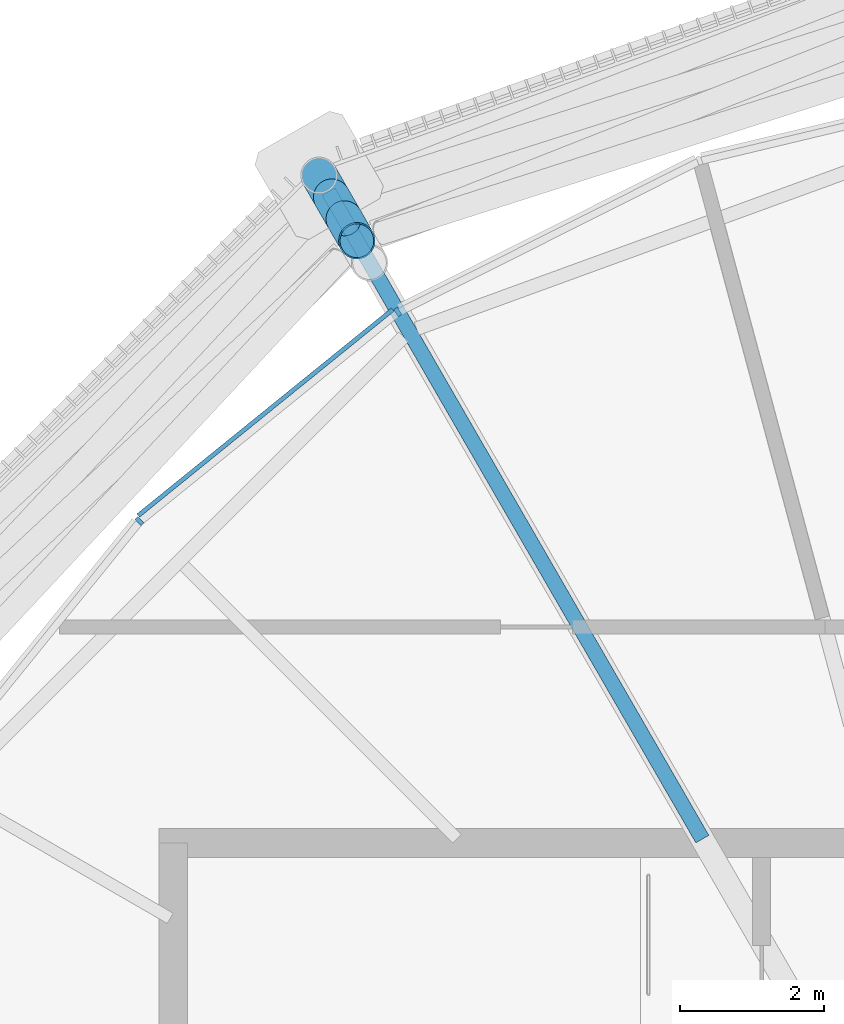
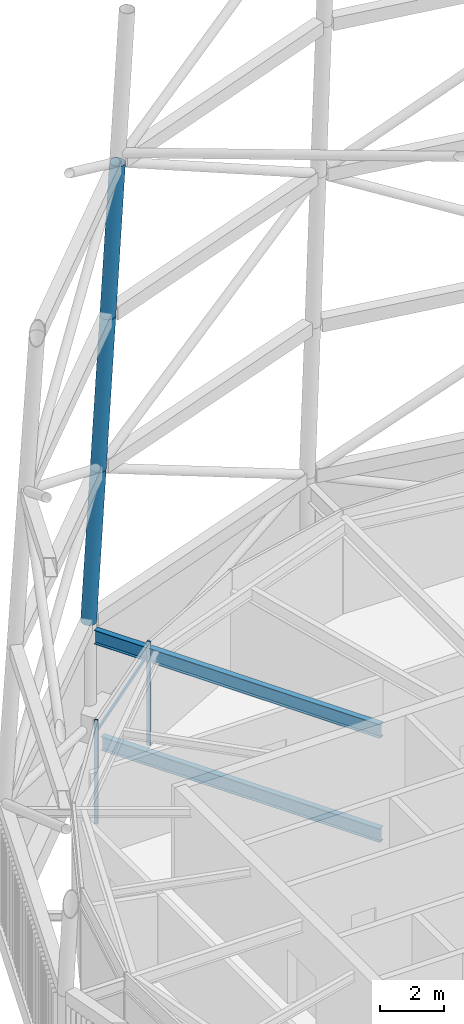
# One storey, part 56 of 71: 6 members, 2 beams, 1 element without a shape of its own.
"""IFC4 building model written with IfcOpenShell, lengths in metres."""

from ifc_helpers import new_model, si_unit, direction, frame, origin, origin_2d, place, context, subcontext, project, spatial, rectangle, hollow_circle, i_section, extrude, material, material_profile, profile_set, type_object, element, aggregate, save


model = new_model("IFC4")

# Units and contexts
model_context = context("Model", 3, precision=1e-05, world=origin(), true_north=direction((0.0, 1.0)))
body_context = subcontext(model_context, "Body", "Model", "MODEL_VIEW")
ifc_project = project(units=[si_unit("LENGTHUNIT", "METRE"), si_unit("AREAUNIT", "SQUARE_METRE"), si_unit("VOLUMEUNIT", "CUBIC_METRE"), si_unit("PLANEANGLEUNIT", "RADIAN"), si_unit("MASSUNIT", "GRAM", prefix="KILO")], contexts=[model_context])

# Site, building, storey
site_placement = place(None, origin())
site = spatial("IfcSite", under=ifc_project, at=site_placement, CompositionType="ELEMENT")
building_placement = place(site_placement, origin())
building = spatial("IfcBuilding", under=site, at=building_placement, Name="Rimbun Link Towers", CompositionType="ELEMENT")
storey_placement = place(building_placement, frame((0.0, 0.0, 267.60009765625)))
storey = spatial("IfcBuildingStorey", under=building, at=storey_placement, Name="L65", CompositionType="ELEMENT", Elevation=267.60009765625)

# Curtain wall, members
ifc_material_1 = material(Name="Aluminium 6063-T6 louvre wall", Category="aluminium")
curtain_wall_type = type_object("IfcCurtainWallType", Name="CW6 plant floor louvre wall", PredefinedType="NOTDEFINED", material=ifc_material_1)
curtain_wall_placement = place(storey_placement, origin())
curtain_wall = element("IfcCurtainWall", 1, at=curtain_wall_placement, inside=storey, type_object=curtain_wall_type, Name="CW6 L65 T2", PredefinedType="NOTDEFINED")
ifc_material_2 = material(Name="Aluminium 6063-T6", Category="aluminium")
ifc_material_profile_1 = material_profile(ifc_material_2, rectangle(XDim=0.1201171875, YDim=0.06005859375, at=origin_2d()), Name="MULLION 60X120")
ifc_profile_set_1 = profile_set([ifc_material_profile_1], Name="Aluminium 6063-T6")
member_type_1 = type_object("IfcMemberType", Name="CW6 mullion 60X120", PredefinedType="MULLION", material=ifc_profile_set_1)
member_1_placement = place(storey_placement, frame((22.869384765625, 15.375732421875, 0.0), z_axis=(0.0, 0.0, 1.0), x_axis=(-0.542101014777, 0.840313328335, 0.0)))
member_1 = element("IfcMember", 2, at=member_1_placement, type_object=member_type_1, Name="CW6 mullion", PredefinedType="MULLION", context=body_context, shape_type="SweptSolid", body=[
    extrude(rectangle(XDim=0.1201171875, YDim=0.06005859375, at=origin_2d()), origin(), (0.0, 0.0, 1.0), 4.0),
])
member_2_placement = place(storey_placement, frame((19.280029296875, 12.469970703125, 0.0), z_axis=(0.0, 0.0, 1.0), x_axis=(-0.707106781187, 0.707106781187, 0.0)))
member_2 = element("IfcMember", 3, at=member_2_placement, type_object=member_type_1, Name="CW6 mullion", PredefinedType="MULLION", context=body_context, shape_type="SweptSolid", body=[
    extrude(rectangle(XDim=0.1201171875, YDim=0.06005859375, at=origin_2d()), origin(), (0.0, 0.0, 1.0), 4.0),
])
ifc_material_3 = material(Name="Aluminium 6063-T6", Category="aluminium")
ifc_material_profile_2 = material_profile(ifc_material_3, rectangle(XDim=0.06005859375, YDim=0.1201171875, at=origin_2d()), Name="TRANSOM 60X120")
ifc_profile_set_2 = profile_set([ifc_material_profile_2], Name="Aluminium 6063-T6")
member_type_2 = type_object("IfcMemberType", Name="CW6 transom 60X120", PredefinedType="USERDEFINED", material=ifc_profile_set_2)
member_3_placement = place(storey_placement, frame((19.263916015625, 12.547607421875, 3.39990234375), z_axis=(0.777261131095, 0.629178141776, 0.0), x_axis=(-0.629178141776, 0.777261131095, 0.0)))
member_3 = element("IfcMember", 4, at=member_3_placement, type_object=member_type_2, Name="CW6 transom", ObjectType="TRANSOM", PredefinedType="USERDEFINED", context=body_context, shape_type="SweptSolid", body=[
    extrude(rectangle(XDim=0.06005859375, YDim=0.1201171875, at=origin_2d()), origin(), (0.0, 0.0, 1.0), 4.54541015625),
])
aggregate(curtain_wall, [member_1, member_2, member_3])

# Members
ifc_material_4 = material(Name="Steel S355J2H", Category="steel")
ifc_material_profile_3 = material_profile(ifc_material_4, hollow_circle(Radius=0.25390625, WallThickness=0.02001953125, at=origin_2d()), Name="Crown frame post CHS 508x20")
ifc_profile_set_3 = profile_set([ifc_material_profile_3], Name="Steel S355J2H")
member_type_3 = type_object("IfcMemberType", Name="Crown frame post CHS 508x20", PredefinedType="POST", material=ifc_profile_set_3)
for number, where, z_axis, x_axis, name in (
    (5, (21.777099609375, 17.273681640625, 4.0), (0.029084731587, -0.050410826675, 0.99830497692), (0.866173965983, 0.499742594395, 0.0), "CROWN FRAME post T2 2-02"),
    (6, (21.951904296875, 16.970703125, 10.0), (0.029125258621, -0.050451284808, 0.998301751562), (0.866046247233, 0.49996389635, 0.0), "CROWN FRAME post T2 3-02"),
    (7, (22.126953125, 16.66748046875, 16.0), (0.029125318286, -0.050410767075, 0.998303796646), (0.865871789474, 0.500265973451, 0.0), "CROWN FRAME post T2 4-02"),
):
    element("IfcMember", number, at=place(storey_placement, frame(where, z_axis=z_axis, x_axis=x_axis)), inside=storey, type_object=member_type_3, Name=name, PredefinedType="POST", context=body_context, shape_type="SweptSolid", body=[
        extrude(hollow_circle(Radius=0.25390625, WallThickness=0.02001953125, at=origin_2d()), origin(), (0.0, 0.0, 1.0), 6.01025390625),
    ])

# Beams
ifc_material_5 = material(Name="Steel S355J2", Category="steel")
ifc_material_profile_4 = material_profile(ifc_material_5, i_section(OverallWidth=0.209228515625, OverallDepth=0.533203125, WebThickness=0.010009765625, FlangeThickness=0.015625, at=origin_2d()), Name="UB 533x210x92")
ifc_profile_set_4 = profile_set([ifc_material_profile_4], Name="Steel S355J2")
beam_type = type_object("IfcBeamType", Name="UB 533x210x92", PredefinedType="BEAM", material=ifc_profile_set_4)
beam_1_placement = place(storey_placement, frame((27.1005859375, 8.05322265625, -0.466552734375), z_axis=(-0.499997372806, 0.86602692059, 0.0), x_axis=(-0.86602692059, -0.499997372806, 0.0)))
element("IfcBeam", 8, at=beam_1_placement, inside=storey, type_object=beam_type, Name="Radial beam T2 L65 05", PredefinedType="BEAM", context=body_context, shape_type="SweptSolid", body=[
    extrude(i_section(OverallWidth=0.209228515625, OverallDepth=0.533203125, WebThickness=0.010009765625, FlangeThickness=0.015625, at=origin_2d()), origin(), (0.0, 0.0, 1.0), 10.14697265625),
])
beam_2_placement = place(storey_placement, frame((27.1005859375, 8.05322265625, 3.533447265625), z_axis=(-0.500009331193, 0.86602001635, 0.0), x_axis=(-0.86602001635, -0.500009331193, 0.0)))
element("IfcBeam", 9, at=beam_2_placement, inside=storey, type_object=beam_type, Name="Radial beam T2 L65 05", PredefinedType="BEAM", context=body_context, shape_type="SweptSolid", body=[
    extrude(i_section(OverallWidth=0.209228515625, OverallDepth=0.533203125, WebThickness=0.010009765625, FlangeThickness=0.015625, at=origin_2d()), origin(), (0.0, 0.0, 1.0), 10.386962890625),
])

save(model, "model.ifc")
